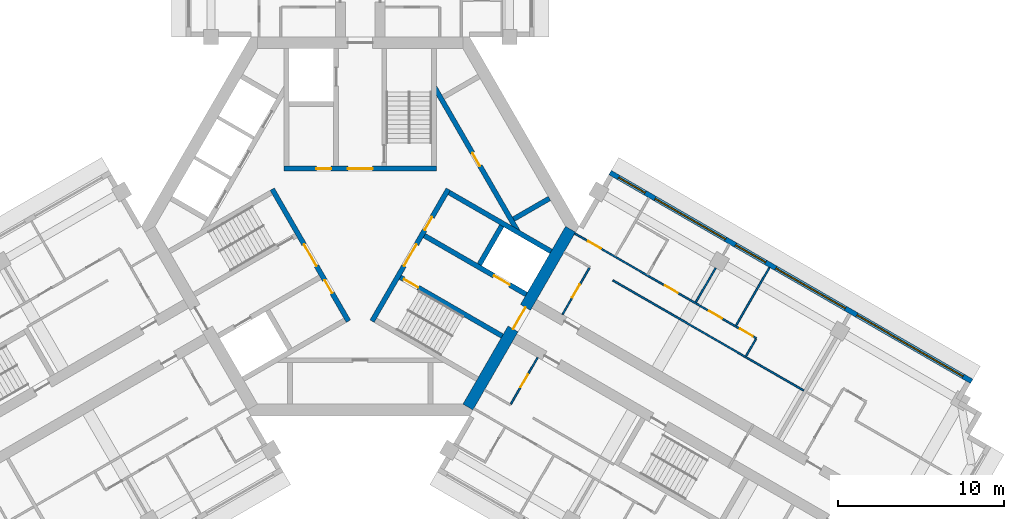
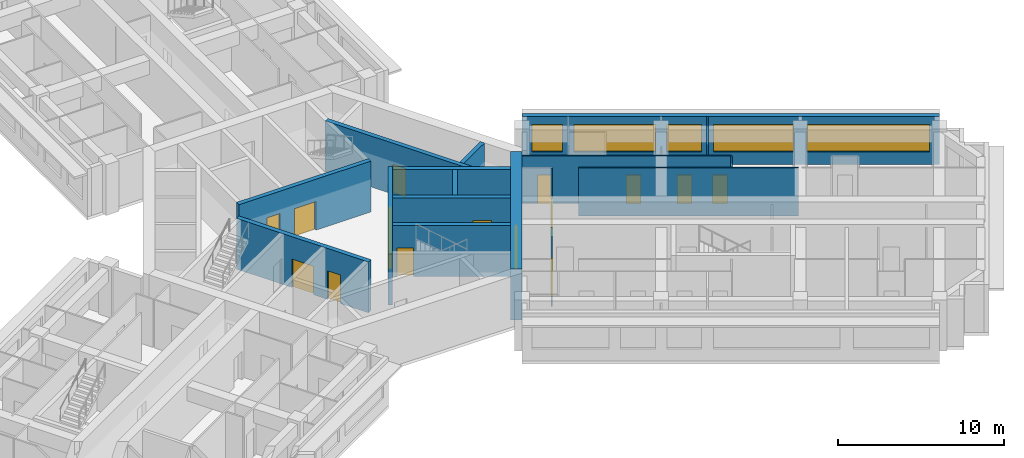
# One storey, part 6 of 11: 18 walls, 16 doors, 5 windows, 21 openings.
"""IFC4 building model written with IfcOpenShell, lengths in metres."""

import ifcopenshell
import ifcopenshell.guid

model = None  # the IFC model being written
_history = None  # IfcOwnerHistory: only IFC2X3 demands one
_inside = {}  # id of a spatial element -> (the spatial element, [elements in it])
_under = {}  # id of a project, library or spatial element -> (it, [spatial elements below it])
_declared = {}  # id of a project -> (the project, [libraries it declares])
_typed = {}  # id of a type object -> (the type object, [elements of that type])
_made_of = {}  # id of a material, layer set ... -> (it, [elements and type objects made of it])


def new_model(schema):
    """Start an empty IFC model of exactly this schema.

    Asked for "IFC4X3", IfcOpenShell would pick the latest addendum, in which some entities
    have other attributes; the version numbers below select the first issue.
    IFC2X3 requires an IfcOwnerHistory on every rooted entity: one is made here for all.
    """
    global model, _history
    if schema == "IFC4X3":
        model = ifcopenshell.file(schema_version=(4, 3, 0, 0))
    else:
        model = ifcopenshell.file(schema=schema)
    _inside.clear()
    _under.clear()
    _declared.clear()
    _typed.clear()
    _made_of.clear()
    _history = None
    if model.schema == "IFC2X3":
        org = make("IfcOrganization", Name="unknown")
        user = make(
            "IfcPersonAndOrganization",
            ThePerson=make("IfcPerson", FamilyName="unknown"),
            TheOrganization=org,
        )
        app = make(
            "IfcApplication",
            ApplicationDeveloper=org,
            Version="unknown",
            ApplicationFullName="unknown",
            ApplicationIdentifier="unknown",
        )
        _history = make(
            "IfcOwnerHistory",
            OwningUser=user,
            OwningApplication=app,
            ChangeAction="ADDED",
            CreationDate=0,
        )
    return model


def make(cls, **values):
    """One entity of the class cls with the attributes given. An attribute that is None is left unset."""
    return model.create_entity(
        cls, **{name: value for name, value in values.items() if value is not None}
    )


def rooted(cls, **values):
    """An entity with a GlobalId (a new one), such as an element, a storey or a relation."""
    return make(cls, GlobalId=ifcopenshell.guid.new(), OwnerHistory=_history, **values)


def si_unit(unit_type, name, prefix=None):
    """IfcSIUnit, for example si_unit("LENGTHUNIT", "METRE", prefix="MILLI")."""
    return make("IfcSIUnit", UnitType=unit_type, Prefix=prefix, Name=name)


def assignment(units):
    """IfcUnitAssignment: the units of a project."""
    return None if units is None else make("IfcUnitAssignment", Units=units)


def point(xyz):
    """IfcCartesianPoint."""
    return None if xyz is None else make("IfcCartesianPoint", Coordinates=xyz)


def direction(xyz):
    """IfcDirection."""
    return None if xyz is None else make("IfcDirection", DirectionRatios=xyz)


def frame(location, z_axis=None, x_axis=None):
    """IfcAxis2Placement3D, a coordinate frame: its origin and axes. An axis left out is left unset."""
    return make(
        "IfcAxis2Placement3D",
        Location=point(location),
        Axis=direction(z_axis),
        RefDirection=direction(x_axis),
    )


def frame_2d(location, x_axis=None):
    """IfcAxis2Placement2D, a coordinate frame in the plane: its origin and x axis."""
    return make(
        "IfcAxis2Placement2D", Location=point(location), RefDirection=direction(x_axis)
    )


def origin():
    """The frame at (0, 0, 0) with its axes left unset."""
    return frame((0.0, 0.0, 0.0))


def place(relative_to, where):
    """IfcLocalPlacement: puts the frame where relative to a parent placement (None: the world)."""
    return make(
        "IfcLocalPlacement", PlacementRelTo=relative_to, RelativePlacement=where
    )


def context(
    kind, dimensions, precision=None, world=None, true_north=None, identifier=None
):
    """IfcGeometricRepresentationContext, for example the 3D "Model" context."""
    return make(
        "IfcGeometricRepresentationContext",
        ContextIdentifier=identifier,
        ContextType=kind,
        CoordinateSpaceDimension=dimensions,
        Precision=precision,
        WorldCoordinateSystem=world,
        TrueNorth=true_north,
    )


def subcontext(parent, identifier, kind, view, scale=None):
    """IfcGeometricRepresentationSubContext, for example "Body" below "Model"."""
    return make(
        "IfcGeometricRepresentationSubContext",
        ContextIdentifier=identifier,
        ContextType=kind,
        ParentContext=parent,
        TargetScale=scale,
        TargetView=view,
    )


def project(units=None, contexts=None):
    """IfcProject with its units and contexts."""
    return rooted(
        "IfcProject",
        Name="project",
        RepresentationContexts=contexts,
        UnitsInContext=assignment(units),
    )


def spatial(cls, under=None, at=None, **own):
    """A site, building, storey or space (cls), placed at a placement, below another one or the project."""
    s = rooted(cls, ObjectPlacement=at, **own)
    if under is not None:
        _under.setdefault(under.id(), (under, []))[1].append(s)
    return s


def profile(cls, at=None, kind="AREA", **sizes):
    """A parametric profile (cls). Its sizes go by their IFC names, for example OverallWidth=200.0."""
    return make(cls, ProfileType=kind, Position=at, **sizes)


def rectangle(**sizes):
    """IfcRectangleProfileDef."""
    return profile("IfcRectangleProfileDef", **sizes)


def extrude(swept, where, along, depth):
    """IfcExtrudedAreaSolid: the profile swept, set in the frame where, extruded along a direction by depth."""
    return make(
        "IfcExtrudedAreaSolid",
        SweptArea=swept,
        Position=where,
        ExtrudedDirection=direction(along),
        Depth=depth,
    )


def shape(context_of_items, identifier, shape_type, items):
    """IfcShapeRepresentation: the items that make up one representation, for example the "Body"."""
    return make(
        "IfcShapeRepresentation",
        ContextOfItems=context_of_items,
        RepresentationIdentifier=identifier,
        RepresentationType=shape_type,
        Items=items,
    )


def material(Name=None, Category=None):
    """IfcMaterial."""
    return make("IfcMaterial", Name=Name, Category=Category)


def layer(
    of_material, thickness, ventilated=None, Name=None, Category=None, Priority=None
):
    """IfcMaterialLayer: one layer of a wall or slab, of a material (None: an air gap)."""
    return make(
        "IfcMaterialLayer",
        Material=of_material,
        LayerThickness=thickness,
        IsVentilated=ventilated,
        Name=Name,
        Category=Category,
        Priority=Priority,
    )


def layer_set(layers, Name=None):
    """IfcMaterialLayerSet."""
    return make("IfcMaterialLayerSet", MaterialLayers=layers, LayerSetName=Name)


def made_of(thing, what):
    """Note that an element or type object is made of a material, layer set ...; save() writes the relation."""
    if what is not None:
        _made_of.setdefault(what.id(), (what, []))[1].append(thing)
    return thing


def type_object(cls, material=None, **own):
    """A type object (cls), such as IfcWallType, which elements share."""
    return made_of(rooted(cls, **own), material)


def element(
    cls,
    number,
    at=None,
    inside=None,
    cuts=None,
    type_object=None,
    material=None,
    context=None,
    identifier="Body",
    shape_type=None,
    held_by="IfcProductDefinitionShape",
    body=None,
    shapes=None,
    **own,
):
    """One element of the class cls, such as IfcWall. Its Tag is "e" and its number.

    at: its placement. inside: the storey or other place that contains it. cuts: it is an
    opening in that element (IfcRelVoidsElement). A single representation is given by context,
    identifier, shape_type and body (its items); several are given by shapes. held_by: the class
    of the entity that holds the representations. save() writes the other relations.
    """
    e = rooted(cls, Tag="e%d" % number, ObjectPlacement=at, **own)
    if body is not None:
        shapes = [shape(context, identifier, shape_type, body)]
    if shapes is not None:
        e.Representation = make(held_by, Representations=shapes)
    if inside is not None:
        _inside.setdefault(inside.id(), (inside, []))[1].append(e)
    if cuts is not None:
        rooted(
            "IfcRelVoidsElement", RelatingBuildingElement=cuts, RelatedOpeningElement=e
        )
    if type_object is not None:
        _typed.setdefault(type_object.id(), (type_object, []))[1].append(e)
    return made_of(e, material)


def fill(opening, filler):
    """IfcRelFillsElement: the door or window that sits in an opening."""
    return rooted(
        "IfcRelFillsElement",
        RelatingOpeningElement=opening,
        RelatedBuildingElement=filler,
    )


def aggregate(whole, parts):
    """IfcRelAggregates: a whole, such as a stair, and the parts it consists of."""
    return rooted("IfcRelAggregates", RelatingObject=whole, RelatedObjects=parts)


def save(model, path):
    """Write the relations noted so far, then the file.

    IfcRelAggregates (storeys below a building ...), IfcRelContainedInSpatialStructure (elements
    in a storey), IfcRelDefinesByType, IfcRelAssociatesMaterial and IfcRelDeclares: one each for
    every whole, place, type object, material and project.
    """
    for whole, parts in _under.values():
        aggregate(whole, parts)
    for where, things in _inside.values():
        rooted(
            "IfcRelContainedInSpatialStructure",
            RelatedElements=things,
            RelatingStructure=where,
        )
    for kind, things in _typed.values():
        rooted("IfcRelDefinesByType", RelatedObjects=things, RelatingType=kind)
    for what, things in _made_of.values():
        rooted("IfcRelAssociatesMaterial", RelatedObjects=things, RelatingMaterial=what)
    for by, libraries in _declared.values():
        rooted("IfcRelDeclares", RelatingContext=by, RelatedDefinitions=libraries)
    model.write(path)


model = new_model("IFC4")

# Units and contexts
model_context = context("Model", 3, precision=1e-05, world=origin(), true_north=direction((0.0, 1.0)))
body_context = subcontext(model_context, "Body", "Model", "MODEL_VIEW")
ifc_project = project(units=[si_unit("LENGTHUNIT", "METRE"), si_unit("AREAUNIT", "SQUARE_METRE"), si_unit("VOLUMEUNIT", "CUBIC_METRE"), si_unit("PLANEANGLEUNIT", "RADIAN"), si_unit("MASSUNIT", "GRAM", prefix="KILO")], contexts=[model_context])

# Site, building, storey
site_placement = place(None, origin())
site = spatial("IfcSite", under=ifc_project, at=site_placement, CompositionType="ELEMENT")
building_placement = place(site_placement, origin())
building = spatial("IfcBuilding", under=site, at=building_placement, Name="Impinga Residences", CompositionType="ELEMENT")
storey_placement = place(building_placement, frame((0.0, 0.0, 207.25)))
storey = spatial("IfcBuildingStorey", under=building, at=storey_placement, Name="L51", CompositionType="ELEMENT", Elevation=207.25)

# Wall, openings, windows
ifc_material_1 = material(Name="Terracotta rainscreen on blockwork", Category="masonry")
ifc_layer_1 = layer(ifc_material_1, 0.300048828125)
ifc_layer_set_1 = layer_set([ifc_layer_1], Name="EW1 external wall, terracotta rainscreen on blockwork 300")
wall_type_1 = type_object("IfcWallType", Name="EW1 external wall, terracotta rainscreen on blockwork 300", PredefinedType="SOLIDWALL", material=ifc_layer_set_1)
wall_1_placement = place(storey_placement, frame((15.074951171875, 3.24755859375, 0.0), z_axis=(0.0, 0.0, 1.0), x_axis=(0.86602925447, -0.499993330357, 0.0)))
wall_1 = element("IfcWall", 1, at=wall_1_placement, inside=storey, type_object=wall_type_1, Name="External wall EW1 L51", PredefinedType="SOLIDWALL", context=body_context, shape_type="SweptSolid", body=[
    extrude(rectangle(XDim=25.199951171875, YDim=0.300048828125, at=frame_2d((12.60009765625, 0.0))), origin(), (0.0, 0.0, 1.0), 3.530029296875),
])
opening_1_placement = place(wall_1_placement, frame((0.60009765625, 0.0, 0.89990234375)))
opening_1 = element("IfcOpeningElement", 2, at=opening_1_placement, cuts=wall_1, Name="Opening W15", PredefinedType="OPENING", context=body_context, shape_type="SweptSolid", body=[
    extrude(rectangle(XDim=1.85009765625, YDim=2.050048828125, at=frame_2d((0.925048828125, 1.02490234375))), frame((0.0, 0.159912109375, 0.0), z_axis=(0.0, -1.0, 0.0), x_axis=(1.0, 0.0, 0.0)), (0.0, 0.0, 1.0), 0.320068359375),
])
opening_2_placement = place(wall_1_placement, frame((3.14990234375, 0.0, 0.89990234375)))
opening_2 = element("IfcOpeningElement", 3, at=opening_2_placement, cuts=wall_1, Name="Opening W16", PredefinedType="OPENING", context=body_context, shape_type="SweptSolid", body=[
    extrude(rectangle(XDim=4.89990234375, YDim=2.050048828125, at=frame_2d((2.449951171875, 1.02490234375))), frame((0.0, 0.159912109375, 0.0), z_axis=(0.0, -1.0, 0.0), x_axis=(1.0, 0.0, 0.0)), (0.0, 0.0, 1.0), 0.320068359375),
])
opening_3_placement = place(wall_1_placement, frame((8.75, 0.0, 0.89990234375)))
opening_3 = element("IfcOpeningElement", 4, at=opening_3_placement, cuts=wall_1, Name="Opening W9", PredefinedType="OPENING", context=body_context, shape_type="SweptSolid", body=[
    extrude(rectangle(XDim=2.10009765625, YDim=2.050048828125, at=frame_2d((1.050048828125, 1.02490234375))), frame((0.0, 0.159912109375, 0.0), z_axis=(0.0, -1.0, 0.0), x_axis=(1.0, 0.0, 0.0)), (0.0, 0.0, 1.0), 0.320068359375),
])
opening_4_placement = place(wall_1_placement, frame((11.550048828125, 0.0, 0.89990234375)))
opening_4 = element("IfcOpeningElement", 5, at=opening_4_placement, cuts=wall_1, Name="Opening W6", PredefinedType="OPENING", context=body_context, shape_type="SweptSolid", body=[
    extrude(rectangle(XDim=4.85009765625, YDim=2.050048828125, at=frame_2d((2.425048828125, 1.02490234375))), frame((0.0, 0.159912109375, 0.0), z_axis=(0.0, -1.0, 0.0), x_axis=(1.0, 0.0, 0.0)), (0.0, 0.0, 1.0), 0.320068359375),
])
opening_5_placement = place(wall_1_placement, frame((17.199951171875, 0.0, 0.89990234375)))
opening_5 = element("IfcOpeningElement", 6, at=opening_5_placement, cuts=wall_1, Name="Opening W12", PredefinedType="OPENING", context=body_context, shape_type="SweptSolid", body=[
    extrude(rectangle(XDim=7.39990234375, YDim=2.050048828125, at=frame_2d((3.699951171875, 1.02490234375))), frame((0.0, 0.159912109375, 0.0), z_axis=(0.0, -1.0, 0.0), x_axis=(1.0, 0.0, 0.0)), (0.0, 0.0, 1.0), 0.320068359375),
])
ifc_material_2 = material(Name="Aluminium window, clear double glazing", Category="aluminium")
window_type_1 = type_object("IfcWindowType", Name="W12 ribbon window 7400x2050", PartitioningType="SINGLE_PANEL", PredefinedType="WINDOW", material=ifc_material_2)
window_1_placement = place(opening_5_placement, origin())
window_1 = element("IfcWindow", 7, at=window_1_placement, inside=storey, type_object=window_type_1, Name="Window L51", OverallHeight=2.050048828125, OverallWidth=7.39990234375, PartitioningType="SINGLE_PANEL", PredefinedType="WINDOW", context=body_context, shape_type="SweptSolid", body=[
    extrude(rectangle(XDim=7.39990234375, YDim=2.050048828125, at=frame_2d((3.699951171875, 1.02490234375))), frame((0.0, 0.030029296875, 0.0), z_axis=(0.0, -1.0, 0.0), x_axis=(1.0, 0.0, 0.0)), (0.0, 0.0, 1.0), 0.06005859375),
])
fill(opening_5, window_1)
window_type_2 = type_object("IfcWindowType", Name="W15 ribbon window 1850x2050", PartitioningType="SINGLE_PANEL", PredefinedType="WINDOW", material=ifc_material_2)
window_2_placement = place(opening_1_placement, origin())
window_2 = element("IfcWindow", 8, at=window_2_placement, inside=storey, type_object=window_type_2, Name="Window L51", OverallHeight=2.050048828125, OverallWidth=1.85009765625, PartitioningType="SINGLE_PANEL", PredefinedType="WINDOW", context=body_context, shape_type="SweptSolid", body=[
    extrude(rectangle(XDim=1.85009765625, YDim=2.050048828125, at=frame_2d((0.925048828125, 1.02490234375))), frame((0.0, 0.030029296875, 0.0), z_axis=(0.0, -1.0, 0.0), x_axis=(1.0, 0.0, 0.0)), (0.0, 0.0, 1.0), 0.06005859375),
])
fill(opening_1, window_2)
window_type_3 = type_object("IfcWindowType", Name="W16 ribbon window 4900x2050", PartitioningType="SINGLE_PANEL", PredefinedType="WINDOW", material=ifc_material_2)
window_3_placement = place(opening_2_placement, origin())
window_3 = element("IfcWindow", 9, at=window_3_placement, inside=storey, type_object=window_type_3, Name="Window L51", OverallHeight=2.050048828125, OverallWidth=4.89990234375, PartitioningType="SINGLE_PANEL", PredefinedType="WINDOW", context=body_context, shape_type="SweptSolid", body=[
    extrude(rectangle(XDim=4.89990234375, YDim=2.050048828125, at=frame_2d((2.449951171875, 1.02490234375))), frame((0.0, 0.030029296875, 0.0), z_axis=(0.0, -1.0, 0.0), x_axis=(1.0, 0.0, 0.0)), (0.0, 0.0, 1.0), 0.06005859375),
])
fill(opening_2, window_3)
window_type_4 = type_object("IfcWindowType", Name="W6 ribbon window 4850x2050", PartitioningType="SINGLE_PANEL", PredefinedType="WINDOW", material=ifc_material_2)
window_4_placement = place(opening_4_placement, origin())
window_4 = element("IfcWindow", 10, at=window_4_placement, inside=storey, type_object=window_type_4, Name="Window L51", OverallHeight=2.050048828125, OverallWidth=4.85009765625, PartitioningType="SINGLE_PANEL", PredefinedType="WINDOW", context=body_context, shape_type="SweptSolid", body=[
    extrude(rectangle(XDim=4.85009765625, YDim=2.050048828125, at=frame_2d((2.425048828125, 1.02490234375))), frame((0.0, 0.030029296875, 0.0), z_axis=(0.0, -1.0, 0.0), x_axis=(1.0, 0.0, 0.0)), (0.0, 0.0, 1.0), 0.06005859375),
])
fill(opening_4, window_4)
window_type_5 = type_object("IfcWindowType", Name="W9 ribbon window 2100x2050", PartitioningType="SINGLE_PANEL", PredefinedType="WINDOW", material=ifc_material_2)
window_5_placement = place(opening_3_placement, origin())
window_5 = element("IfcWindow", 11, at=window_5_placement, inside=storey, type_object=window_type_5, Name="Window L51", OverallHeight=2.050048828125, OverallWidth=2.10009765625, PartitioningType="SINGLE_PANEL", PredefinedType="WINDOW", context=body_context, shape_type="SweptSolid", body=[
    extrude(rectangle(XDim=2.10009765625, YDim=2.050048828125, at=frame_2d((1.050048828125, 1.02490234375))), frame((0.0, 0.030029296875, 0.0), z_axis=(0.0, -1.0, 0.0), x_axis=(1.0, 0.0, 0.0)), (0.0, 0.0, 1.0), 0.06005859375),
])
fill(opening_3, window_5)

# Wall
ifc_material_3 = material(Name="Gypsum board on steel studs", Category="steel")
ifc_layer_2 = layer(ifc_material_3, 0.10009765625)
ifc_layer_set_2 = layer_set([ifc_layer_2], Name="Gypsum board on steel studs")
wall_type_2 = type_object("IfcWallType", Name="IP1 partition 100", PredefinedType="PARTITIONING", material=ifc_layer_set_2)
wall_2_placement = place(storey_placement, frame((15.244384765625, -3.2587890625, 0.0), z_axis=(0.0, 0.0, 1.0), x_axis=(0.866023880463, -0.500002638461, 0.0)))
element("IfcWall", 12, at=wall_2_placement, inside=storey, type_object=wall_type_2, Name="Partition L51-EA1:DIV1", PredefinedType="PARTITIONING", context=body_context, shape_type="SweptSolid", body=[
    extrude(rectangle(XDim=13.30029296875, YDim=0.10009765625, at=frame_2d((6.650146484375, 0.0))), origin(), (0.0, 0.0, 1.0), 3.530029296875),
])

# Wall, openings, doors
wall_3_placement = place(storey_placement, frame((12.949951171875, -0.43310546875, 0.0), z_axis=(0.0, 0.0, 1.0), x_axis=(0.866029069366, -0.499993650972, 0.0)))
wall_3 = element("IfcWall", 13, at=wall_3_placement, inside=storey, type_object=wall_type_2, Name="Partition L51-EA1:STRIP", PredefinedType="PARTITIONING", context=body_context, shape_type="SweptSolid", body=[
    extrude(rectangle(XDim=12.650146484375, YDim=0.10009765625, at=frame_2d((6.3251953125, 0.0))), origin(), (0.0, 0.0, 1.0), 3.530029296875),
])
opening_6_placement = place(wall_3_placement, frame((0.925048828125, 0.0, 0.0)))
opening_6 = element("IfcOpeningElement", 14, at=opening_6_placement, cuts=wall_3, Name="Opening D2", PredefinedType="OPENING", context=body_context, shape_type="SweptSolid", body=[
    extrude(rectangle(XDim=0.89990234375, YDim=2.10009765625, at=frame_2d((0.449951171875, 1.050048828125))), frame((0.0, 0.06005859375, 0.0), z_axis=(0.0, -1.0, 0.0), x_axis=(1.0, 0.0, 0.0)), (0.0, 0.0, 1.0), 0.1201171875),
])
opening_7_placement = place(wall_3_placement, frame((6.27490234375, 0.0, 0.0)))
opening_7 = element("IfcOpeningElement", 15, at=opening_7_placement, cuts=wall_3, Name="Opening D2", PredefinedType="OPENING", context=body_context, shape_type="SweptSolid", body=[
    extrude(rectangle(XDim=0.89990234375, YDim=2.10009765625, at=frame_2d((0.449951171875, 1.050048828125))), frame((0.0, 0.06005859375, 0.0), z_axis=(0.0, -1.0, 0.0), x_axis=(1.0, 0.0, 0.0)), (0.0, 0.0, 1.0), 0.1201171875),
])
opening_8_placement = place(wall_3_placement, frame((9.35009765625, 0.0, 0.0)))
opening_8 = element("IfcOpeningElement", 16, at=opening_8_placement, cuts=wall_3, Name="Opening D2", PredefinedType="OPENING", context=body_context, shape_type="SweptSolid", body=[
    extrude(rectangle(XDim=0.89990234375, YDim=2.10009765625, at=frame_2d((0.449951171875, 1.050048828125))), frame((0.0, 0.06005859375, 0.0), z_axis=(0.0, -1.0, 0.0), x_axis=(1.0, 0.0, 0.0)), (0.0, 0.0, 1.0), 0.1201171875),
])
opening_9_placement = place(wall_3_placement, frame((11.5, 0.0, 0.0)))
opening_9 = element("IfcOpeningElement", 17, at=opening_9_placement, cuts=wall_3, Name="Opening D2", PredefinedType="OPENING", context=body_context, shape_type="SweptSolid", body=[
    extrude(rectangle(XDim=0.89990234375, YDim=2.10009765625, at=frame_2d((0.449951171875, 1.050048828125))), frame((0.0, 0.06005859375, 0.0), z_axis=(0.0, -1.0, 0.0), x_axis=(1.0, 0.0, 0.0)), (0.0, 0.0, 1.0), 0.1201171875),
])
ifc_material_4 = material(Name="Timber door set", Category="wood")
door_type_1 = type_object("IfcDoorType", Name="D2 internal door 900x2100", OperationType="SINGLE_SWING_LEFT", PredefinedType="DOOR", material=ifc_material_4)
door_1_placement = place(opening_6_placement, origin())
door_1 = element("IfcDoor", 18, at=door_1_placement, inside=storey, type_object=door_type_1, Name="Apartment L51-EA1 room door", OperationType="SINGLE_SWING_LEFT", OverallHeight=2.10009765625, OverallWidth=0.89990234375, PredefinedType="DOOR", context=body_context, shape_type="SweptSolid", body=[
    extrude(rectangle(XDim=0.89990234375, YDim=2.10009765625, at=frame_2d((0.449951171875, 1.050048828125))), frame((0.0, 0.02490234375, 0.0), z_axis=(0.0, -1.0, 0.0), x_axis=(1.0, 0.0, 0.0)), (0.0, 0.0, 1.0), 0.050048828125),
])
fill(opening_6, door_1)
door_2_placement = place(opening_7_placement, origin())
door_2 = element("IfcDoor", 19, at=door_2_placement, inside=storey, type_object=door_type_1, Name="Apartment L51-EA1 room door", OperationType="SINGLE_SWING_RIGHT", OverallHeight=2.10009765625, OverallWidth=0.89990234375, PredefinedType="DOOR", context=body_context, shape_type="SweptSolid", body=[
    extrude(rectangle(XDim=0.89990234375, YDim=2.10009765625, at=frame_2d((0.449951171875, 1.050048828125))), frame((0.0, 0.02490234375, 0.0), z_axis=(0.0, -1.0, 0.0), x_axis=(1.0, 0.0, 0.0)), (0.0, 0.0, 1.0), 0.050048828125),
])
fill(opening_7, door_2)
door_3_placement = place(opening_8_placement, origin())
door_3 = element("IfcDoor", 20, at=door_3_placement, inside=storey, type_object=door_type_1, Name="Apartment L51-EA1 room door", OperationType="SINGLE_SWING_RIGHT", OverallHeight=2.10009765625, OverallWidth=0.89990234375, PredefinedType="DOOR", context=body_context, shape_type="SweptSolid", body=[
    extrude(rectangle(XDim=0.89990234375, YDim=2.10009765625, at=frame_2d((0.449951171875, 1.050048828125))), frame((0.0, 0.02490234375, 0.0), z_axis=(0.0, -1.0, 0.0), x_axis=(1.0, 0.0, 0.0)), (0.0, 0.0, 1.0), 0.050048828125),
])
fill(opening_8, door_3)
door_4_placement = place(opening_9_placement, origin())
door_4 = element("IfcDoor", 21, at=door_4_placement, inside=storey, type_object=door_type_1, Name="Apartment L51-EA1 room door", OperationType="SINGLE_SWING_RIGHT", OverallHeight=2.10009765625, OverallWidth=0.89990234375, PredefinedType="DOOR", context=body_context, shape_type="SweptSolid", body=[
    extrude(rectangle(XDim=0.89990234375, YDim=2.10009765625, at=frame_2d((0.449951171875, 1.050048828125))), frame((0.0, 0.02490234375, 0.0), z_axis=(0.0, -1.0, 0.0), x_axis=(1.0, 0.0, 0.0)), (0.0, 0.0, 1.0), 0.050048828125),
])
fill(opening_9, door_4)

# Wall
wall_4_placement = place(storey_placement, frame((23.2802734375, -7.840576171875, 0.0), z_axis=(0.0, 0.0, 1.0), x_axis=(0.499880961361, 0.866094119867, 0.0)))
element("IfcWall", 22, at=wall_4_placement, inside=storey, type_object=wall_type_2, Name="Partition L51-EA1:SE1", PredefinedType="PARTITIONING", context=body_context, shape_type="SweptSolid", body=[
    extrude(rectangle(XDim=1.199951171875, YDim=0.10009765625, at=frame_2d((0.60009765625, 0.0))), origin(), (0.0, 0.0, 1.0), 3.530029296875),
])

# Wall, opening, door
wall_5_placement = place(storey_placement, frame((12.208740234375, -5.316650390625, 0.0), z_axis=(0.0, 0.0, 1.0), x_axis=(0.500017246033, 0.866015446554, 0.0)))
wall_5 = element("IfcWall", 23, at=wall_5_placement, inside=storey, type_object=wall_type_2, Name="Partition L51-EA1:IB1", PredefinedType="PARTITIONING", context=body_context, shape_type="SweptSolid", body=[
    extrude(rectangle(XDim=3.25, YDim=0.10009765625, at=frame_2d((1.625, 0.0))), origin(), (0.0, 0.0, 1.0), 3.530029296875),
])
opening_10_placement = place(wall_5_placement, frame((1.175048828125, 0.0, 0.0)))
opening_10 = element("IfcOpeningElement", 24, at=opening_10_placement, cuts=wall_5, Name="Opening D2", PredefinedType="OPENING", context=body_context, shape_type="SweptSolid", body=[
    extrude(rectangle(XDim=0.89990234375, YDim=2.10009765625, at=frame_2d((0.449951171875, 1.050048828125))), frame((0.0, 0.06005859375, 0.0), z_axis=(0.0, -1.0, 0.0), x_axis=(1.0, 0.0, 0.0)), (0.0, 0.0, 1.0), 0.1201171875),
])
door_5_placement = place(opening_10_placement, origin())
door_5 = element("IfcDoor", 25, at=door_5_placement, inside=storey, type_object=door_type_1, Name="Apartment L51-EA1 bathroom door", OperationType="SINGLE_SWING_LEFT", OverallHeight=2.10009765625, OverallWidth=0.89990234375, PredefinedType="DOOR", context=body_context, shape_type="SweptSolid", body=[
    extrude(rectangle(XDim=0.89990234375, YDim=2.10009765625, at=frame_2d((0.449951171875, 1.050048828125))), frame((0.0, 0.02490234375, 0.0), z_axis=(0.0, -1.0, 0.0), x_axis=(1.0, 0.0, 0.0)), (0.0, 0.0, 1.0), 0.050048828125),
])
fill(opening_10, door_5)

# Walls
wall_6_placement = place(storey_placement, frame((20.24951171875, -4.589599609375, 0.0), z_axis=(0.0, 0.0, 1.0), x_axis=(0.500077600433, 0.865980596518, 0.0)))
element("IfcWall", 26, at=wall_6_placement, inside=storey, type_object=wall_type_2, Name="Partition L51-EA1:OB2", PredefinedType="PARTITIONING", context=body_context, shape_type="SweptSolid", body=[
    extrude(rectangle(XDim=2.39990234375, YDim=0.10009765625, at=frame_2d((1.199951171875, 0.0))), origin(), (0.0, 0.0, 1.0), 2.47998046875),
])
wall_7_placement = place(storey_placement, frame((22.674560546875, -5.98974609375, 0.0), z_axis=(0.0, 0.0, 1.0), x_axis=(0.499990325971, 0.866030989016, 0.0)))
element("IfcWall", 27, at=wall_7_placement, inside=storey, type_object=wall_type_2, Name="Partition L51-EA1:OB3", PredefinedType="PARTITIONING", context=body_context, shape_type="SweptSolid", body=[
    extrude(rectangle(XDim=4.0498046875, YDim=0.10009765625, at=frame_2d((2.02490234375, 0.0))), origin(), (0.0, 0.0, 1.0), 3.530029296875),
])

# Wall, opening, door
wall_8_placement = place(storey_placement, frame((10.708740234375, -7.914794921875, 0.0), z_axis=(0.0, 0.0, 1.0), x_axis=(-0.499984717929, -0.866034226713, 0.0)))
wall_8 = element("IfcWall", 28, at=wall_8_placement, inside=storey, type_object=wall_type_2, Name="Partition L51-EF1:IB1", PredefinedType="PARTITIONING", context=body_context, shape_type="SweptSolid", body=[
    extrude(rectangle(XDim=3.25, YDim=0.10009765625, at=frame_2d((1.625, 0.0))), origin(), (0.0, 0.0, 1.0), 3.530029296875),
])
opening_11_placement = place(wall_8_placement, frame((1.175048828125, 0.0, 0.0)))
opening_11 = element("IfcOpeningElement", 29, at=opening_11_placement, cuts=wall_8, Name="Opening D2", PredefinedType="OPENING", context=body_context, shape_type="SweptSolid", body=[
    extrude(rectangle(XDim=0.89990234375, YDim=2.10009765625, at=frame_2d((0.449951171875, 1.050048828125))), frame((0.0, 0.06005859375, 0.0), z_axis=(0.0, -1.0, 0.0), x_axis=(1.0, 0.0, 0.0)), (0.0, 0.0, 1.0), 0.1201171875),
])
door_6_placement = place(opening_11_placement, origin())
door_6 = element("IfcDoor", 30, at=door_6_placement, inside=storey, type_object=door_type_1, Name="Apartment L51-EF1 bathroom door", OperationType="SINGLE_SWING_LEFT", OverallHeight=2.10009765625, OverallWidth=0.89990234375, PredefinedType="DOOR", context=body_context, shape_type="SweptSolid", body=[
    extrude(rectangle(XDim=0.89990234375, YDim=2.10009765625, at=frame_2d((0.449951171875, 1.050048828125))), frame((0.0, 0.02490234375, 0.0), z_axis=(0.0, -1.0, 0.0), x_axis=(1.0, 0.0, 0.0)), (0.0, 0.0, 1.0), 0.050048828125),
])
fill(opening_11, door_6)

ifc_material_5 = material(Name="Concrete C60/75", Category="concrete")
ifc_layer_3 = layer(ifc_material_5, 0.699951171875)
ifc_layer_set_3 = layer_set([ifc_layer_3], Name="Concrete C60/75")
wall_type_3 = type_object("IfcWallType", Name="SW3 core wall 700", PredefinedType="SHEAR", material=ifc_layer_set_3)
wall_9_placement = place(storey_placement, frame((12.69482421875, -0.175048828125, 0.0), z_axis=(0.0, 0.0, 1.0), x_axis=(-0.499999875397, -0.866025475724, 0.0)))
wall_9 = element("IfcWall", 31, at=wall_9_placement, inside=storey, type_object=wall_type_3, Name="Core wall SW3 E:FACE L51", PredefinedType="SHEAR", context=body_context, shape_type="SweptSolid", body=[
    extrude(rectangle(XDim=12.3916015625, YDim=0.699951171875, at=frame_2d((6.19580078125, 0.0))), origin(), (0.0, 0.0, 1.0), 3.75),
])
opening_12_placement = place(wall_9_placement, frame((5.44580078125, 0.0, 0.0)))
opening_12 = element("IfcOpeningElement", 32, at=opening_12_placement, cuts=wall_9, Name="Opening D4", PredefinedType="OPENING", context=body_context, shape_type="SweptSolid", body=[
    extrude(rectangle(XDim=1.5, YDim=2.10009765625, at=frame_2d((0.75, 1.050048828125))), frame((0.0, 0.35986328125, 0.0), z_axis=(0.0, -1.0, 0.0), x_axis=(1.0, 0.0, 0.0)), (0.0, 0.0, 1.0), 0.719970703125),
])
door_type_2 = type_object("IfcDoorType", Name="D4 lobby door pair 1500x2100", OperationType="DOUBLE_DOOR_DOUBLE_SWING", PredefinedType="DOOR", material=ifc_material_4)
door_7_placement = place(opening_12_placement, origin())
door_7 = element("IfcDoor", 33, at=door_7_placement, inside=storey, type_object=door_type_2, Name="Lobby door E", OperationType="DOUBLE_DOOR_DOUBLE_SWING", OverallHeight=2.10009765625, OverallWidth=1.5, PredefinedType="DOOR", context=body_context, shape_type="SweptSolid", body=[
    extrude(rectangle(XDim=1.5, YDim=2.10009765625, at=frame_2d((0.75, 1.050048828125))), frame((0.0, 0.02490234375, 0.0), z_axis=(0.0, -1.0, 0.0), x_axis=(1.0, 0.0, 0.0)), (0.0, 0.0, 1.0), 0.050048828125),
])
fill(opening_12, door_7)

# Wall, openings, doors
ifc_material_6 = material(Name="Concrete C70/85", Category="concrete")
ifc_layer_4 = layer(ifc_material_6, 0.300048828125)
ifc_layer_set_4 = layer_set([ifc_layer_4], Name="Concrete C70/85")
wall_type_4 = type_object("IfcWallType", Name="SW5 core inner wall, stairs, shafts and lobbies 300", PredefinedType="SHEAR", material=ifc_layer_set_4)
wall_10_placement = place(storey_placement, frame((-4.60009765625, 3.47998046875, 0.0), z_axis=(0.0, 0.0, 1.0), x_axis=(1.0, 0.0, 0.0)))
wall_10 = element("IfcWall", 34, at=wall_10_placement, inside=storey, type_object=wall_type_4, Name="Core wall SW5 N:ZONE L51", PredefinedType="SHEAR", context=body_context, shape_type="SweptSolid", body=[
    extrude(rectangle(XDim=9.2001953125, YDim=0.300048828125, at=frame_2d((4.60009765625, 0.0))), origin(), (0.0, 0.0, 1.0), 3.75),
])
opening_13_placement = place(wall_10_placement, frame((3.85009765625, 0.0, 0.0)))
opening_13 = element("IfcOpeningElement", 35, at=opening_13_placement, cuts=wall_10, Name="Opening D4", PredefinedType="OPENING", context=body_context, shape_type="SweptSolid", body=[
    extrude(rectangle(XDim=1.5, YDim=2.10009765625, at=frame_2d((0.75, 1.050048828125))), frame((0.0, 0.159912109375, 0.0), z_axis=(0.0, -1.0, 0.0), x_axis=(1.0, 0.0, 0.0)), (0.0, 0.0, 1.0), 0.320068359375),
])
opening_14_placement = place(wall_10_placement, frame((1.949951171875, 0.0, 0.0)))
opening_14 = element("IfcOpeningElement", 36, at=opening_14_placement, cuts=wall_10, Name="Opening D6", PredefinedType="OPENING", context=body_context, shape_type="SweptSolid", body=[
    extrude(rectangle(XDim=0.89990234375, YDim=2.10009765625, at=frame_2d((0.449951171875, 1.050048828125))), frame((0.0, 0.159912109375, 0.0), z_axis=(0.0, -1.0, 0.0), x_axis=(1.0, 0.0, 0.0)), (0.0, 0.0, 1.0), 0.320068359375),
])
door_8_placement = place(opening_13_placement, origin())
door_8 = element("IfcDoor", 37, at=door_8_placement, inside=storey, type_object=door_type_2, Name="Firefighting lobby door N", OperationType="DOUBLE_DOOR_DOUBLE_SWING", OverallHeight=2.10009765625, OverallWidth=1.5, PredefinedType="DOOR", context=body_context, shape_type="SweptSolid", body=[
    extrude(rectangle(XDim=1.5, YDim=2.10009765625, at=frame_2d((0.75, 1.050048828125))), frame((0.0, 0.02490234375, 0.0), z_axis=(0.0, -1.0, 0.0), x_axis=(1.0, 0.0, 0.0)), (0.0, 0.0, 1.0), 0.050048828125),
])
fill(opening_13, door_8)
door_type_3 = type_object("IfcDoorType", Name="D6 riser and store door 900x2100", OperationType="SINGLE_SWING_LEFT", PredefinedType="DOOR", material=ifc_material_4)
door_9_placement = place(opening_14_placement, origin())
door_9 = element("IfcDoor", 38, at=door_9_placement, inside=storey, type_object=door_type_3, Name="Riser door N", OperationType="SINGLE_SWING_LEFT", OverallHeight=2.10009765625, OverallWidth=0.89990234375, PredefinedType="DOOR", context=body_context, shape_type="SweptSolid", body=[
    extrude(rectangle(XDim=0.89990234375, YDim=2.10009765625, at=frame_2d((0.449951171875, 1.050048828125))), frame((0.0, 0.02490234375, 0.0), z_axis=(0.0, -1.0, 0.0), x_axis=(1.0, 0.0, 0.0)), (0.0, 0.0, 1.0), 0.050048828125),
])
fill(opening_14, door_9)

wall_11_placement = place(storey_placement, frame((-0.7138671875, -5.7236328125, 0.0), z_axis=(0.0, 0.0, 1.0), x_axis=(-0.499995050369, 0.866028261437, 0.0)))
wall_11 = element("IfcWall", 39, at=wall_11_placement, inside=storey, type_object=wall_type_4, Name="Core wall SW5 W:ZONE L51", PredefinedType="SHEAR", context=body_context, shape_type="SweptSolid", body=[
    extrude(rectangle(XDim=9.19970703125, YDim=0.300048828125, at=frame_2d((4.599853515625, 0.0))), origin(), (0.0, 0.0, 1.0), 3.75),
])
opening_15_placement = place(wall_11_placement, frame((3.85009765625, 0.0, 0.0)))
opening_15 = element("IfcOpeningElement", 40, at=opening_15_placement, cuts=wall_11, Name="Opening D4", PredefinedType="OPENING", context=body_context, shape_type="SweptSolid", body=[
    extrude(rectangle(XDim=1.5, YDim=2.10009765625, at=frame_2d((0.75, 1.050048828125))), frame((0.0, 0.159912109375, 0.0), z_axis=(0.0, -1.0, 0.0), x_axis=(1.0, 0.0, 0.0)), (0.0, 0.0, 1.0), 0.320068359375),
])
opening_16_placement = place(wall_11_placement, frame((1.949951171875, 0.0, 0.0)))
opening_16 = element("IfcOpeningElement", 41, at=opening_16_placement, cuts=wall_11, Name="Opening D6", PredefinedType="OPENING", context=body_context, shape_type="SweptSolid", body=[
    extrude(rectangle(XDim=0.89990234375, YDim=2.10009765625, at=frame_2d((0.449951171875, 1.050048828125))), frame((0.0, 0.159912109375, 0.0), z_axis=(0.0, -1.0, 0.0), x_axis=(1.0, 0.0, 0.0)), (0.0, 0.0, 1.0), 0.320068359375),
])
door_10_placement = place(opening_15_placement, origin())
door_10 = element("IfcDoor", 42, at=door_10_placement, inside=storey, type_object=door_type_2, Name="Firefighting lobby door W", OperationType="DOUBLE_DOOR_DOUBLE_SWING", OverallHeight=2.10009765625, OverallWidth=1.5, PredefinedType="DOOR", context=body_context, shape_type="SweptSolid", body=[
    extrude(rectangle(XDim=1.5, YDim=2.10009765625, at=frame_2d((0.75, 1.050048828125))), frame((0.0, 0.02490234375, 0.0), z_axis=(0.0, -1.0, 0.0), x_axis=(1.0, 0.0, 0.0)), (0.0, 0.0, 1.0), 0.050048828125),
])
fill(opening_15, door_10)
door_11_placement = place(opening_16_placement, origin())
door_11 = element("IfcDoor", 43, at=door_11_placement, inside=storey, type_object=door_type_3, Name="Riser door W", OperationType="SINGLE_SWING_LEFT", OverallHeight=2.10009765625, OverallWidth=0.89990234375, PredefinedType="DOOR", context=body_context, shape_type="SweptSolid", body=[
    extrude(rectangle(XDim=0.89990234375, YDim=2.10009765625, at=frame_2d((0.449951171875, 1.050048828125))), frame((0.0, 0.02490234375, 0.0), z_axis=(0.0, -1.0, 0.0), x_axis=(1.0, 0.0, 0.0)), (0.0, 0.0, 1.0), 0.050048828125),
])
fill(opening_16, door_11)

wall_12_placement = place(storey_placement, frame((5.313720703125, 2.24365234375, 0.0), z_axis=(0.0, 0.0, 1.0), x_axis=(-0.499995050369, -0.866028261437, 0.0)))
wall_12 = element("IfcWall", 44, at=wall_12_placement, inside=storey, type_object=wall_type_4, Name="Core wall SW5 E:ZONE L51", PredefinedType="SHEAR", context=body_context, shape_type="SweptSolid", body=[
    extrude(rectangle(XDim=9.19970703125, YDim=0.300048828125, at=frame_2d((4.599853515625, 0.0))), origin(), (0.0, 0.0, 1.0), 3.75),
])
opening_17_placement = place(wall_12_placement, frame((3.85009765625, 0.0, 0.0)))
opening_17 = element("IfcOpeningElement", 45, at=opening_17_placement, cuts=wall_12, Name="Opening D4", PredefinedType="OPENING", context=body_context, shape_type="SweptSolid", body=[
    extrude(rectangle(XDim=1.5, YDim=2.10009765625, at=frame_2d((0.75, 1.050048828125))), frame((0.0, 0.159912109375, 0.0), z_axis=(0.0, -1.0, 0.0), x_axis=(1.0, 0.0, 0.0)), (0.0, 0.0, 1.0), 0.320068359375),
])
opening_18_placement = place(wall_12_placement, frame((1.949951171875, 0.0, 0.0)))
opening_18 = element("IfcOpeningElement", 46, at=opening_18_placement, cuts=wall_12, Name="Opening D6", PredefinedType="OPENING", context=body_context, shape_type="SweptSolid", body=[
    extrude(rectangle(XDim=0.89990234375, YDim=2.10009765625, at=frame_2d((0.449951171875, 1.050048828125))), frame((0.0, 0.159912109375, 0.0), z_axis=(0.0, -1.0, 0.0), x_axis=(1.0, 0.0, 0.0)), (0.0, 0.0, 1.0), 0.320068359375),
])
door_12_placement = place(opening_17_placement, origin())
door_12 = element("IfcDoor", 47, at=door_12_placement, inside=storey, type_object=door_type_2, Name="Firefighting lobby door E", OperationType="DOUBLE_DOOR_DOUBLE_SWING", OverallHeight=2.10009765625, OverallWidth=1.5, PredefinedType="DOOR", context=body_context, shape_type="SweptSolid", body=[
    extrude(rectangle(XDim=1.5, YDim=2.10009765625, at=frame_2d((0.75, 1.050048828125))), frame((0.0, 0.02490234375, 0.0), z_axis=(0.0, -1.0, 0.0), x_axis=(1.0, 0.0, 0.0)), (0.0, 0.0, 1.0), 0.050048828125),
])
fill(opening_17, door_12)
door_13_placement = place(opening_18_placement, origin())
door_13 = element("IfcDoor", 48, at=door_13_placement, inside=storey, type_object=door_type_3, Name="Riser door E", OperationType="SINGLE_SWING_LEFT", OverallHeight=2.10009765625, OverallWidth=0.89990234375, PredefinedType="DOOR", context=body_context, shape_type="SweptSolid", body=[
    extrude(rectangle(XDim=0.89990234375, YDim=2.10009765625, at=frame_2d((0.449951171875, 1.050048828125))), frame((0.0, 0.02490234375, 0.0), z_axis=(0.0, -1.0, 0.0), x_axis=(1.0, 0.0, 0.0)), (0.0, 0.0, 1.0), 0.050048828125),
])
fill(opening_18, door_13)

# Wall, opening, door
wall_13_placement = place(storey_placement, frame((2.418701171875, -3.07080078125, 0.0), z_axis=(0.0, 0.0, 1.0), x_axis=(0.866025859768, -0.499999210213, 0.0)))
wall_13 = element("IfcWall", 49, at=wall_13_placement, inside=storey, type_object=wall_type_4, Name="Core wall SW5 E:ST-IN L51", PredefinedType="SHEAR", context=body_context, shape_type="SweptSolid", body=[
    extrude(rectangle(XDim=7.1015625, YDim=0.300048828125, at=frame_2d((3.55078125, 0.0))), origin(), (0.0, 0.0, 1.0), 3.75),
])
opening_19_placement = place(wall_13_placement, frame((0.25, 0.0, 0.0)))
opening_19 = element("IfcOpeningElement", 50, at=opening_19_placement, cuts=wall_13, Name="Opening D5", PredefinedType="OPENING", context=body_context, shape_type="SweptSolid", body=[
    extrude(rectangle(XDim=1.0, YDim=2.10009765625, at=frame_2d((0.5, 1.050048828125))), frame((0.0, 0.159912109375, 0.0), z_axis=(0.0, -1.0, 0.0), x_axis=(1.0, 0.0, 0.0)), (0.0, 0.0, 1.0), 0.320068359375),
])
door_type_4 = type_object("IfcDoorType", Name="D5 stair door 1000x2100", OperationType="SINGLE_SWING_LEFT", PredefinedType="DOOR", material=ifc_material_4)
door_14_placement = place(opening_19_placement, origin())
door_14 = element("IfcDoor", 51, at=door_14_placement, inside=storey, type_object=door_type_4, Name="Stair door E", OperationType="SINGLE_SWING_LEFT", OverallHeight=2.10009765625, OverallWidth=1.0, PredefinedType="DOOR", context=body_context, shape_type="SweptSolid", body=[
    extrude(rectangle(XDim=1.0, YDim=2.10009765625, at=frame_2d((0.5, 1.050048828125))), frame((0.0, 0.02490234375, 0.0), z_axis=(0.0, -1.0, 0.0), x_axis=(1.0, 0.0, 0.0)), (0.0, 0.0, 1.0), 0.050048828125),
])
fill(opening_19, door_14)

wall_14_placement = place(storey_placement, frame((3.86865234375, -0.559326171875, 0.0), z_axis=(0.0, 0.0, 1.0), x_axis=(0.866025859768, -0.499999210213, 0.0)))
wall_14 = element("IfcWall", 52, at=wall_14_placement, inside=storey, type_object=wall_type_4, Name="Core wall SW5 E:FF-IN L51", PredefinedType="SHEAR", context=body_context, shape_type="SweptSolid", body=[
    extrude(rectangle(XDim=7.1015625, YDim=0.300048828125, at=frame_2d((3.55078125, 0.0))), origin(), (0.0, 0.0, 1.0), 3.75),
])
opening_20_placement = place(wall_14_placement, frame((4.85009765625, 0.0, 0.0)))
opening_20 = element("IfcOpeningElement", 53, at=opening_20_placement, cuts=wall_14, Name="Opening LD2", PredefinedType="OPENING", context=body_context, shape_type="SweptSolid", body=[
    extrude(rectangle(XDim=1.10009765625, YDim=2.10009765625, at=frame_2d((0.550048828125, 1.050048828125))), frame((0.0, 0.159912109375, 0.0), z_axis=(0.0, -1.0, 0.0), x_axis=(1.0, 0.0, 0.0)), (0.0, 0.0, 1.0), 0.320068359375),
])
ifc_material_7 = material(Name="Steel lift landing door", Category="steel")
door_type_5 = type_object("IfcDoorType", Name="LD2 firefighting lift landing door 1100x2100", OperationType="DOUBLE_DOOR_SLIDING", PredefinedType="DOOR", material=ifc_material_7)
door_15_placement = place(opening_20_placement, origin())
door_15 = element("IfcDoor", 54, at=door_15_placement, inside=storey, type_object=door_type_5, Name="Firefighting lift landing door F3", OperationType="DOUBLE_DOOR_SLIDING", OverallHeight=2.10009765625, OverallWidth=1.10009765625, PredefinedType="DOOR", context=body_context, shape_type="SweptSolid", body=[
    extrude(rectangle(XDim=1.10009765625, YDim=2.10009765625, at=frame_2d((0.550048828125, 1.050048828125))), frame((0.0, 0.02490234375, 0.0), z_axis=(0.0, -1.0, 0.0), x_axis=(1.0, 0.0, 0.0)), (0.0, 0.0, 1.0), 0.050048828125),
])
fill(opening_20, door_15)

# Walls
wall_15_placement = place(storey_placement, frame((5.36865234375, 2.038818359375, 0.0), z_axis=(0.0, 0.0, 1.0), x_axis=(0.866025859768, -0.499999210213, 0.0)))
element("IfcWall", 55, at=wall_15_placement, inside=storey, type_object=wall_type_4, Name="Core wall SW5 E:FF-OUT L51", PredefinedType="SHEAR", context=body_context, shape_type="SweptSolid", body=[
    extrude(rectangle(XDim=7.1015625, YDim=0.300048828125, at=frame_2d((3.55078125, 0.0))), origin(), (0.0, 0.0, 1.0), 3.75),
])
wall_16_placement = place(storey_placement, frame((8.541259765625, 0.033935546875, 0.0), z_axis=(0.0, 0.0, 1.0), x_axis=(-0.50000943426, -0.866019956843, 0.0)))
element("IfcWall", 56, at=wall_16_placement, inside=storey, type_object=wall_type_4, Name="Core wall SW5 E:FF-RS L51", PredefinedType="SHEAR", context=body_context, shape_type="SweptSolid", body=[
    extrude(rectangle(XDim=2.7001953125, YDim=0.300048828125, at=frame_2d((1.35009765625, 0.0))), origin(), (0.0, 0.0, 1.0), 3.75),
])

# Wall, opening, door
wall_17_placement = place(storey_placement, frame((4.449951171875, 8.455322265625, 0.0), z_axis=(0.0, 0.0, 1.0), x_axis=(0.500002290144, -0.866024081565, 0.0)))
wall_17 = element("IfcWall", 57, at=wall_17_placement, inside=storey, type_object=wall_type_4, Name="Core wall SW5 W:BANK-FRONT L51", PredefinedType="SHEAR", context=body_context, shape_type="SweptSolid", body=[
    extrude(rectangle(XDim=10.1953125, YDim=0.300048828125, at=frame_2d((5.09765625, 0.0))), origin(), (0.0, 0.0, 1.0), 3.75),
])
opening_21_placement = place(wall_17_placement, frame((4.647705078125, 0.0, 0.0)))
opening_21 = element("IfcOpeningElement", 58, at=opening_21_placement, cuts=wall_17, Name="Opening D6", PredefinedType="OPENING", context=body_context, shape_type="SweptSolid", body=[
    extrude(rectangle(XDim=0.89990234375, YDim=2.10009765625, at=frame_2d((0.449951171875, 1.050048828125))), frame((0.0, 0.159912109375, 0.0), z_axis=(0.0, -1.0, 0.0), x_axis=(1.0, 0.0, 0.0)), (0.0, 0.0, 1.0), 0.320068359375),
])
door_16_placement = place(opening_21_placement, origin())
door_16 = element("IfcDoor", 59, at=door_16_placement, inside=storey, type_object=door_type_3, Name="Residents' parcel room door", OperationType="SINGLE_SWING_RIGHT", OverallHeight=2.10009765625, OverallWidth=0.89990234375, PredefinedType="DOOR", context=body_context, shape_type="SweptSolid", body=[
    extrude(rectangle(XDim=0.89990234375, YDim=2.10009765625, at=frame_2d((0.449951171875, 1.050048828125))), frame((0.0, 0.02490234375, 0.0), z_axis=(0.0, -1.0, 0.0), x_axis=(1.0, 0.0, 0.0)), (0.0, 0.0, 1.0), 0.050048828125),
])
fill(opening_21, door_16)

# Wall
wall_18_placement = place(storey_placement, frame((9.253662109375, 0.43505859375, 0.0), z_axis=(0.0, 0.0, 1.0), x_axis=(0.866022959057, 0.500004234368, 0.0)))
element("IfcWall", 60, at=wall_18_placement, inside=storey, type_object=wall_type_4, Name="Core wall SW5 W:BANK-R L51", PredefinedType="SHEAR", context=body_context, shape_type="SweptSolid", body=[
    extrude(rectangle(XDim=2.5, YDim=0.300048828125, at=frame_2d((1.25, 0.0))), origin(), (0.0, 0.0, 1.0), 3.75),
])

save(model, "model.ifc")
